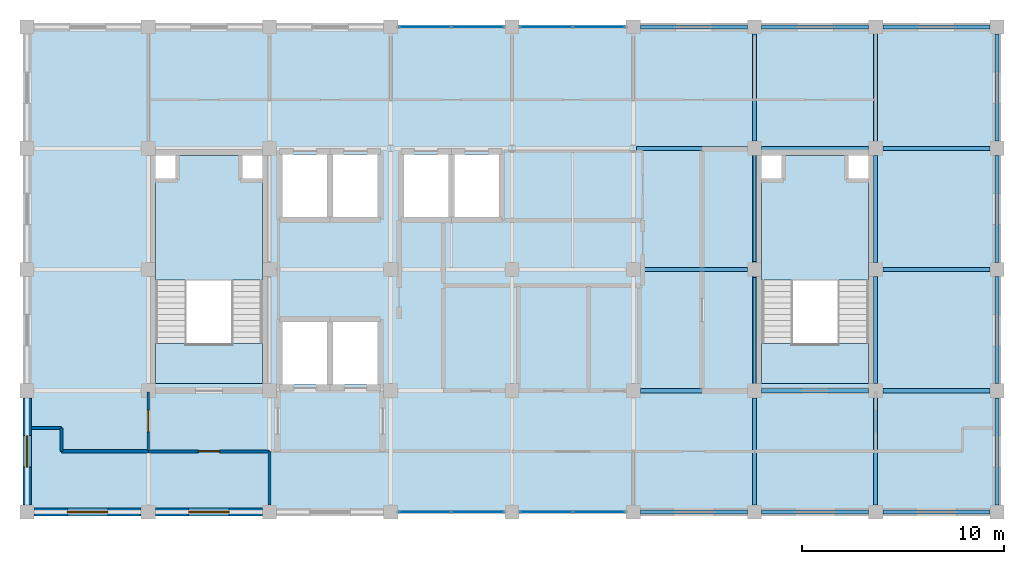
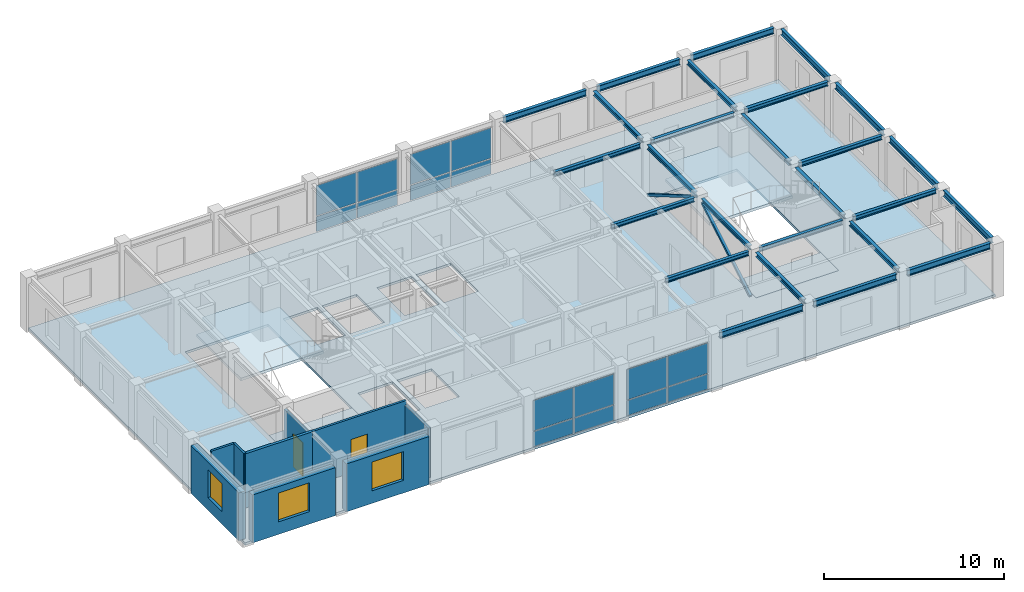
# One storey, part 7 of 11: 26 beams, 16 plates, 9 walls, 5 slabs, 3 windows, 2 doors, 2 members, 5 openings, 6 elements without a shape of their own.
"""IFC4 building model written with IfcOpenShell, lengths in metres."""

from ifc_helpers import new_model, si_unit, direction, frame, frame_2d, origin, origin_2d, place, context, subcontext, project, spatial, polyline, rectangle, hollow_rectangle, i_section, outline, extrude, material, layer, layer_set, material_profile, profile_set, type_object, element, fill, aggregate, save


model = new_model("IFC4")

# Units and contexts
model_context = context("Model", 3, precision=1e-05, world=origin(), true_north=direction((0.0, 1.0)))
body_context = subcontext(model_context, "Body", "Model", "MODEL_VIEW")
ifc_project = project(units=[si_unit("LENGTHUNIT", "METRE"), si_unit("AREAUNIT", "SQUARE_METRE"), si_unit("VOLUMEUNIT", "CUBIC_METRE"), si_unit("PLANEANGLEUNIT", "RADIAN"), si_unit("MASSUNIT", "GRAM", prefix="KILO")], contexts=[model_context])

# Site, building, storey
site_placement = place(None, origin())
site = spatial("IfcSite", under=ifc_project, at=site_placement, CompositionType="ELEMENT")
building_placement = place(site_placement, origin())
building = spatial("IfcBuilding", under=site, at=building_placement, Name="Zlatovratsky Civic Hall", CompositionType="ELEMENT")
storey_placement = place(building_placement, frame((0.0, 0.0, 63.89990234375)))
storey = spatial("IfcBuildingStorey", under=building, at=storey_placement, Name="L16", CompositionType="ELEMENT", Elevation=63.89990234375)

# Beams
ifc_material_1 = material(Name="Steel S355", Category="steel")
ifc_material_profile_1 = material_profile(ifc_material_1, i_section(OverallWidth=0.199951171875, OverallDepth=0.39990234375, WebThickness=0.008056640625, FlangeThickness=0.012939453125, FilletRadius=0.014892578125, at=origin_2d()), Name="40B2")
ifc_profile_set_1 = profile_set([ifc_material_profile_1], Name="Steel S355")
beam_type_1 = type_object("IfcBeamType", Name="Beam_Spandrel_40B2", PredefinedType="SPANDREL", material=ifc_profile_set_1)
for number, where, z_axis, x_axis, name in (
    (1, (90.35009765625, 78.0, 3.460205078125), (1.0, 0.0, 0.0), (0.0, 1.0, 0.0), "BM-5122"),
    (2, (96.35009765625, 78.0, 3.460205078125), (1.0, 0.0, 0.0), (0.0, 1.0, 0.0), "BM-5123"),
    (3, (102.35009765625, 78.0, 3.460205078125), (1.0, 0.0, 0.0), (0.0, 1.0, 0.0), "BM-5124"),
    (4, (90.35009765625, 102.0, 3.460205078125), (1.0, 0.0, 0.0), (0.0, 1.0, 0.0), "BM-5152"),
    (5, (96.35009765625, 102.0, 3.460205078125), (1.0, 0.0, 0.0), (0.0, 1.0, 0.0), "BM-5153"),
    (6, (102.35009765625, 102.0, 3.460205078125), (1.0, 0.0, 0.0), (0.0, 1.0, 0.0), "BM-5154"),
    (7, (108.0, 78.35009765625, 3.460205078125), (0.0, 1.0, 0.0), (-1.0, 0.0, 0.0), "BM-5187"),
    (8, (108.0, 84.35009765625, 3.460205078125), (0.0, 1.0, 0.0), (-1.0, 0.0, 0.0), "BM-5188"),
    (9, (108.0, 90.35009765625, 3.460205078125), (0.0, 1.0, 0.0), (-1.0, 0.0, 0.0), "BM-5189"),
    (10, (108.0, 96.35009765625, 3.460205078125), (0.0, 1.0, 0.0), (-1.0, 0.0, 0.0), "BM-5190"),
):
    element("IfcBeam", number, at=place(storey_placement, frame(where, z_axis=z_axis, x_axis=x_axis)), inside=storey, type_object=beam_type_1, Name=name, PredefinedType="SPANDREL", context=body_context, shape_type="SweptSolid", body=[
        extrude(i_section(OverallWidth=0.199951171875, OverallDepth=0.39990234375, WebThickness=0.008056640625, FlangeThickness=0.012939453125, FilletRadius=0.014892578125, at=origin_2d()), origin(), (0.0, 0.0, 1.0), 5.2998046875),
    ])
ifc_material_profile_2 = material_profile(ifc_material_1, i_section(OverallWidth=0.199951171875, OverallDepth=0.291015625, WebThickness=0.008056640625, FlangeThickness=0.010986328125, FilletRadius=0.01806640625, at=origin_2d()), Name="30Sh1")
ifc_profile_set_2 = profile_set([ifc_material_profile_2], Name="Steel S355")
beam_type_2 = type_object("IfcBeamType", Name="Beam_TowerHigh_30Sh1", PredefinedType="BEAM", material=ifc_profile_set_2)
for number, where, z_axis, x_axis, name in (
    (11, (90.35009765625, 84.0, 3.5146484375), (1.0, 0.0, 0.0), (0.0, 1.0, 0.0), "BM-5130"),
    (12, (96.35009765625, 84.0, 3.5146484375), (1.0, 0.0, 0.0), (0.0, 1.0, 0.0), "BM-5131"),
    (13, (102.35009765625, 84.0, 3.5146484375), (1.0, 0.0, 0.0), (0.0, 1.0, 0.0), "BM-5132"),
    (14, (90.35009765625, 90.0, 3.5146484375), (1.0, 0.0, 0.0), (0.0, 1.0, 0.0), "BM-5137"),
    (15, (102.35009765625, 90.0, 3.5146484375), (1.0, 0.0, 0.0), (0.0, 1.0, 0.0), "BM-5138"),
):
    element("IfcBeam", number, at=place(storey_placement, frame(where, z_axis=z_axis, x_axis=x_axis)), inside=storey, type_object=beam_type_2, Name=name, PredefinedType="BEAM", context=body_context, shape_type="SweptSolid", body=[
        extrude(i_section(OverallWidth=0.199951171875, OverallDepth=0.291015625, WebThickness=0.008056640625, FlangeThickness=0.010986328125, FilletRadius=0.01806640625, at=origin_2d()), origin(), (0.0, 0.0, 1.0), 5.2998046875),
    ])
beam_placement = place(storey_placement, frame((90.1494140625, 96.0, 3.5146484375), z_axis=(1.0, 0.0, 0.0), x_axis=(0.0, 1.0, 0.0)))
element("IfcBeam", 16, at=beam_placement, inside=storey, type_object=beam_type_2, Name="BM-5144", PredefinedType="BEAM", context=body_context, shape_type="SweptSolid", body=[
    extrude(i_section(OverallWidth=0.199951171875, OverallDepth=0.291015625, WebThickness=0.008056640625, FlangeThickness=0.010986328125, FilletRadius=0.01806640625, at=origin_2d()), origin(), (0.0, 0.0, 1.0), 5.50048828125),
])
for number, where, z_axis, x_axis, name in (
    (17, (96.35009765625, 96.0, 3.5146484375), (1.0, 0.0, 0.0), (0.0, 1.0, 0.0), "BM-5145"),
    (18, (102.35009765625, 96.0, 3.5146484375), (1.0, 0.0, 0.0), (0.0, 1.0, 0.0), "BM-5146"),
    (19, (96.0, 78.35009765625, 3.5146484375), (0.0, 1.0, 0.0), (-1.0, 0.0, 0.0), "BM-5179"),
    (20, (96.0, 84.35009765625, 3.5146484375), (0.0, 1.0, 0.0), (-1.0, 0.0, 0.0), "BM-5180"),
    (21, (96.0, 90.35009765625, 3.5146484375), (0.0, 1.0, 0.0), (-1.0, 0.0, 0.0), "BM-5181"),
    (22, (96.0, 96.35009765625, 3.5146484375), (0.0, 1.0, 0.0), (-1.0, 0.0, 0.0), "BM-5182"),
    (23, (102.0, 78.35009765625, 3.5146484375), (0.0, 1.0, 0.0), (-1.0, 0.0, 0.0), "BM-5183"),
    (24, (102.0, 84.35009765625, 3.5146484375), (0.0, 1.0, 0.0), (-1.0, 0.0, 0.0), "BM-5184"),
    (25, (102.0, 90.35009765625, 3.5146484375), (0.0, 1.0, 0.0), (-1.0, 0.0, 0.0), "BM-5185"),
    (26, (102.0, 96.35009765625, 3.5146484375), (0.0, 1.0, 0.0), (-1.0, 0.0, 0.0), "BM-5186"),
):
    element("IfcBeam", number, at=place(storey_placement, frame(where, z_axis=z_axis, x_axis=x_axis)), inside=storey, type_object=beam_type_2, Name=name, PredefinedType="BEAM", context=body_context, shape_type="SweptSolid", body=[
        extrude(i_section(OverallWidth=0.199951171875, OverallDepth=0.291015625, WebThickness=0.008056640625, FlangeThickness=0.010986328125, FilletRadius=0.01806640625, at=origin_2d()), origin(), (0.0, 0.0, 1.0), 5.2998046875),
    ])

# Members
ifc_material_profile_3 = material_profile(ifc_material_1, hollow_rectangle(XDim=0.159912109375, YDim=0.159912109375, WallThickness=0.008056640625, at=origin_2d()), Name="SHS 160x160x8")
ifc_profile_set_3 = profile_set([ifc_material_profile_3], Name="Steel S355")
member_type = type_object("IfcMemberType", Name="Brace_TowerHigh_SHS160", PredefinedType="BRACE", material=ifc_profile_set_3)
for number, where, z_axis, x_axis, name in (
    (27, (96.0, 84.35009765625, 0.25), (0.0, 0.863172562464, 0.504909028845), (-1.0, 0.0, 0.0), "MB-0170"),
    (28, (96.0, 90.35009765625, 3.35009765625), (0.0, 0.863172562464, -0.504909028845), (-1.0, 0.0, 0.0), "MB-0171"),
):
    element("IfcMember", number, at=place(storey_placement, frame(where, z_axis=z_axis, x_axis=x_axis)), inside=storey, type_object=member_type, Name=name, PredefinedType="BRACE", context=body_context, shape_type="SweptSolid", body=[
        extrude(hollow_rectangle(XDim=0.159912109375, YDim=0.159912109375, WallThickness=0.008056640625, at=origin_2d()), origin(), (0.0, 0.0, 1.0), 6.139892578125),
    ])

# Curtain wall, plates
ifc_material_2 = material(Name="Anodised bronze aluminium", Category="aluminium")
ifc_layer_1 = layer(ifc_material_2, 0.159912109375)
ifc_layer_set_1 = layer_set([ifc_layer_1], Name="Anodised bronze aluminium")
curtain_wall_type = type_object("IfcCurtainWallType", Name="CurtainWall_Bronze_5300x3240_24", PredefinedType="NOTDEFINED", material=ifc_layer_set_1)
curtain_wall_1_placement = place(storey_placement, origin())
curtain_wall_1 = element("IfcCurtainWall", 29, at=curtain_wall_1_placement, inside=storey, type_object=curtain_wall_type, Name="CW-173", PredefinedType="NOTDEFINED")
ifc_material_3 = material(Name="Solar-control triple glazing", Category="glass")
ifc_layer_2 = layer(ifc_material_3, 0.028076171875)
ifc_layer_set_2 = layer_set([ifc_layer_2], Name="Solar-control triple glazing")
plate_type = type_object("IfcPlateType", Name="Panel_TowerTripleGlazing_28", PredefinedType="CURTAIN_PANEL", material=ifc_layer_set_2)
plate_1_placement = place(storey_placement, frame((79.68994140625, 78.0, 0.06005859375), z_axis=(0.0, 0.0, 1.0), x_axis=(1.0, 0.0, 0.0)))
plate_1 = element("IfcPlate", 30, at=plate_1_placement, type_object=plate_type, Name="CW-24 panel 1.1", PredefinedType="CURTAIN_PANEL", context=body_context, shape_type="SweptSolid", body=[
    extrude(rectangle(XDim=2.56005859375, YDim=0.028076171875, at=origin_2d()), origin(), (0.0, 0.0, 1.0), 1.010009765625),
])
plate_2_placement = place(storey_placement, frame((79.68994140625, 78.0, 1.1298828125), z_axis=(0.0, 0.0, 1.0), x_axis=(1.0, 0.0, 0.0)))
plate_2 = element("IfcPlate", 31, at=plate_2_placement, type_object=plate_type, Name="CW-24 panel 1.2", PredefinedType="CURTAIN_PANEL", context=body_context, shape_type="SweptSolid", body=[
    extrude(rectangle(XDim=2.56005859375, YDim=0.028076171875, at=origin_2d()), origin(), (0.0, 0.0, 1.0), 2.050048828125),
])
plate_3_placement = place(storey_placement, frame((82.31005859375, 78.0, 0.06005859375), z_axis=(0.0, 0.0, 1.0), x_axis=(1.0, 0.0, 0.0)))
plate_3 = element("IfcPlate", 32, at=plate_3_placement, type_object=plate_type, Name="CW-24 panel 2.1", PredefinedType="CURTAIN_PANEL", context=body_context, shape_type="SweptSolid", body=[
    extrude(rectangle(XDim=2.56005859375, YDim=0.028076171875, at=origin_2d()), origin(), (0.0, 0.0, 1.0), 1.010009765625),
])
plate_4_placement = place(storey_placement, frame((82.31005859375, 78.0, 1.1298828125), z_axis=(0.0, 0.0, 1.0), x_axis=(1.0, 0.0, 0.0)))
plate_4 = element("IfcPlate", 33, at=plate_4_placement, type_object=plate_type, Name="CW-24 panel 2.2", PredefinedType="CURTAIN_PANEL", context=body_context, shape_type="SweptSolid", body=[
    extrude(rectangle(XDim=2.56005859375, YDim=0.028076171875, at=origin_2d()), origin(), (0.0, 0.0, 1.0), 2.050048828125),
])
aggregate(curtain_wall_1, [plate_1, plate_2, plate_3, plate_4])

curtain_wall_2_placement = place(storey_placement, origin())
curtain_wall_2 = element("IfcCurtainWall", 34, at=curtain_wall_2_placement, inside=storey, type_object=curtain_wall_type, Name="CW-174", PredefinedType="NOTDEFINED")
plate_5_placement = place(storey_placement, frame((85.68994140625, 78.0, 0.06005859375), z_axis=(0.0, 0.0, 1.0), x_axis=(1.0, 0.0, 0.0)))
plate_5 = element("IfcPlate", 35, at=plate_5_placement, type_object=plate_type, Name="CW-24 panel 1.1", PredefinedType="CURTAIN_PANEL", context=body_context, shape_type="SweptSolid", body=[
    extrude(rectangle(XDim=2.56005859375, YDim=0.028076171875, at=origin_2d()), origin(), (0.0, 0.0, 1.0), 1.010009765625),
])
plate_6_placement = place(storey_placement, frame((85.68994140625, 78.0, 1.1298828125), z_axis=(0.0, 0.0, 1.0), x_axis=(1.0, 0.0, 0.0)))
plate_6 = element("IfcPlate", 36, at=plate_6_placement, type_object=plate_type, Name="CW-24 panel 1.2", PredefinedType="CURTAIN_PANEL", context=body_context, shape_type="SweptSolid", body=[
    extrude(rectangle(XDim=2.56005859375, YDim=0.028076171875, at=origin_2d()), origin(), (0.0, 0.0, 1.0), 2.050048828125),
])
plate_7_placement = place(storey_placement, frame((88.31005859375, 78.0, 0.06005859375), z_axis=(0.0, 0.0, 1.0), x_axis=(1.0, 0.0, 0.0)))
plate_7 = element("IfcPlate", 37, at=plate_7_placement, type_object=plate_type, Name="CW-24 panel 2.1", PredefinedType="CURTAIN_PANEL", context=body_context, shape_type="SweptSolid", body=[
    extrude(rectangle(XDim=2.56005859375, YDim=0.028076171875, at=origin_2d()), origin(), (0.0, 0.0, 1.0), 1.010009765625),
])
plate_8_placement = place(storey_placement, frame((88.31005859375, 78.0, 1.1298828125), z_axis=(0.0, 0.0, 1.0), x_axis=(1.0, 0.0, 0.0)))
plate_8 = element("IfcPlate", 38, at=plate_8_placement, type_object=plate_type, Name="CW-24 panel 2.2", PredefinedType="CURTAIN_PANEL", context=body_context, shape_type="SweptSolid", body=[
    extrude(rectangle(XDim=2.56005859375, YDim=0.028076171875, at=origin_2d()), origin(), (0.0, 0.0, 1.0), 2.050048828125),
])
aggregate(curtain_wall_2, [plate_5, plate_6, plate_7, plate_8])

curtain_wall_3_placement = place(storey_placement, origin())
curtain_wall_3 = element("IfcCurtainWall", 39, at=curtain_wall_3_placement, inside=storey, type_object=curtain_wall_type, Name="CW-175", PredefinedType="NOTDEFINED")
plate_9_placement = place(storey_placement, frame((79.68994140625, 102.0, 0.06005859375), z_axis=(0.0, 0.0, 1.0), x_axis=(1.0, 0.0, 0.0)))
plate_9 = element("IfcPlate", 40, at=plate_9_placement, type_object=plate_type, Name="CW-24 panel 1.1", PredefinedType="CURTAIN_PANEL", context=body_context, shape_type="SweptSolid", body=[
    extrude(rectangle(XDim=2.56005859375, YDim=0.028076171875, at=origin_2d()), origin(), (0.0, 0.0, 1.0), 1.010009765625),
])
plate_10_placement = place(storey_placement, frame((79.68994140625, 102.0, 1.1298828125), z_axis=(0.0, 0.0, 1.0), x_axis=(1.0, 0.0, 0.0)))
plate_10 = element("IfcPlate", 41, at=plate_10_placement, type_object=plate_type, Name="CW-24 panel 1.2", PredefinedType="CURTAIN_PANEL", context=body_context, shape_type="SweptSolid", body=[
    extrude(rectangle(XDim=2.56005859375, YDim=0.028076171875, at=origin_2d()), origin(), (0.0, 0.0, 1.0), 2.050048828125),
])
plate_11_placement = place(storey_placement, frame((82.31005859375, 102.0, 0.06005859375), z_axis=(0.0, 0.0, 1.0), x_axis=(1.0, 0.0, 0.0)))
plate_11 = element("IfcPlate", 42, at=plate_11_placement, type_object=plate_type, Name="CW-24 panel 2.1", PredefinedType="CURTAIN_PANEL", context=body_context, shape_type="SweptSolid", body=[
    extrude(rectangle(XDim=2.56005859375, YDim=0.028076171875, at=origin_2d()), origin(), (0.0, 0.0, 1.0), 1.010009765625),
])
plate_12_placement = place(storey_placement, frame((82.31005859375, 102.0, 1.1298828125), z_axis=(0.0, 0.0, 1.0), x_axis=(1.0, 0.0, 0.0)))
plate_12 = element("IfcPlate", 43, at=plate_12_placement, type_object=plate_type, Name="CW-24 panel 2.2", PredefinedType="CURTAIN_PANEL", context=body_context, shape_type="SweptSolid", body=[
    extrude(rectangle(XDim=2.56005859375, YDim=0.028076171875, at=origin_2d()), origin(), (0.0, 0.0, 1.0), 2.050048828125),
])
aggregate(curtain_wall_3, [plate_9, plate_10, plate_11, plate_12])

curtain_wall_4_placement = place(storey_placement, origin())
curtain_wall_4 = element("IfcCurtainWall", 44, at=curtain_wall_4_placement, inside=storey, type_object=curtain_wall_type, Name="CW-176", PredefinedType="NOTDEFINED")
plate_13_placement = place(storey_placement, frame((85.68994140625, 102.0, 0.06005859375), z_axis=(0.0, 0.0, 1.0), x_axis=(1.0, 0.0, 0.0)))
plate_13 = element("IfcPlate", 45, at=plate_13_placement, type_object=plate_type, Name="CW-24 panel 1.1", PredefinedType="CURTAIN_PANEL", context=body_context, shape_type="SweptSolid", body=[
    extrude(rectangle(XDim=2.56005859375, YDim=0.028076171875, at=origin_2d()), origin(), (0.0, 0.0, 1.0), 1.010009765625),
])
plate_14_placement = place(storey_placement, frame((85.68994140625, 102.0, 1.1298828125), z_axis=(0.0, 0.0, 1.0), x_axis=(1.0, 0.0, 0.0)))
plate_14 = element("IfcPlate", 46, at=plate_14_placement, type_object=plate_type, Name="CW-24 panel 1.2", PredefinedType="CURTAIN_PANEL", context=body_context, shape_type="SweptSolid", body=[
    extrude(rectangle(XDim=2.56005859375, YDim=0.028076171875, at=origin_2d()), origin(), (0.0, 0.0, 1.0), 2.050048828125),
])
plate_15_placement = place(storey_placement, frame((88.31005859375, 102.0, 0.06005859375), z_axis=(0.0, 0.0, 1.0), x_axis=(1.0, 0.0, 0.0)))
plate_15 = element("IfcPlate", 47, at=plate_15_placement, type_object=plate_type, Name="CW-24 panel 2.1", PredefinedType="CURTAIN_PANEL", context=body_context, shape_type="SweptSolid", body=[
    extrude(rectangle(XDim=2.56005859375, YDim=0.028076171875, at=origin_2d()), origin(), (0.0, 0.0, 1.0), 1.010009765625),
])
plate_16_placement = place(storey_placement, frame((88.31005859375, 102.0, 1.1298828125), z_axis=(0.0, 0.0, 1.0), x_axis=(1.0, 0.0, 0.0)))
plate_16 = element("IfcPlate", 48, at=plate_16_placement, type_object=plate_type, Name="CW-24 panel 2.2", PredefinedType="CURTAIN_PANEL", context=body_context, shape_type="SweptSolid", body=[
    extrude(rectangle(XDim=2.56005859375, YDim=0.028076171875, at=origin_2d()), origin(), (0.0, 0.0, 1.0), 2.050048828125),
])
aggregate(curtain_wall_4, [plate_13, plate_14, plate_15, plate_16])

# Slabs
ifc_material_4 = material(Name="Concrete C30/37 (B35)", Category="concrete")
ifc_layer_3 = layer(ifc_material_4, 0.239990234375)
ifc_layer_set_3 = layer_set([ifc_layer_3], Name="Concrete C30/37 (B35)")
slab_type_1 = type_object("IfcSlabType", Name="Slab_CivicPodiumFloor_240", PredefinedType="FLOOR", material=ifc_layer_set_3)
slab_1_placement = place(storey_placement, frame((0.0, 0.0, -0.239990234375)))
element("IfcSlab", 49, at=slab_1_placement, inside=storey, type_object=slab_type_1, Name="SL-084", PredefinedType="FLOOR", context=body_context, shape_type="SweptSolid", body=[
    extrude(outline(polyline([(66.35009765625, 84.35009765625), (71.64990234375, 84.35009765625), (71.64990234375, 86.35009765625), (66.35009765625, 86.35009765625), (66.35009765625, 84.35009765625)])), origin(), (0.0, 0.0, 1.0), 0.239990234375),
])
slab_2_placement = place(storey_placement, frame((0.0, 0.0, -0.239990234375)))
element("IfcSlab", 50, at=slab_2_placement, inside=storey, type_object=slab_type_1, Name="SL-085", PredefinedType="FLOOR", context=body_context, shape_type="SweptSolid", body=[
    extrude(outline(polyline([(96.35009765625, 84.35009765625), (101.64990234375, 84.35009765625), (101.64990234375, 86.35009765625), (96.35009765625, 86.35009765625), (96.35009765625, 84.35009765625)])), origin(), (0.0, 0.0, 1.0), 0.239990234375),
])

# Stair, slab
stair_type = type_object("IfcStairType", Name="Stair_HALF_24R_1550W_04", PredefinedType="HALF_TURN_STAIR", material=ifc_material_4)
stair_1_placement = place(storey_placement, origin())
stair_1 = element("IfcStair", 51, at=stair_1_placement, inside=storey, type_object=stair_type, Name="ST-017", PredefinedType="HALF_TURN_STAIR")
ifc_layer_4 = layer(ifc_material_4, 0.179931640625)
ifc_layer_set_4 = layer_set([ifc_layer_4], Name="Concrete C30/37 (B35)")
slab_type_2 = type_object("IfcSlabType", Name="Slab_StairLanding_180", PredefinedType="LANDING", material=ifc_layer_set_4)
slab_3_placement = place(storey_placement, frame((0.0, 0.0, 1.77001953125)))
slab_3 = element("IfcSlab", 52, at=slab_3_placement, type_object=slab_type_2, Name="SL-LD-17", PredefinedType="LANDING", context=body_context, shape_type="SweptSolid", body=[
    extrude(outline(polyline([(66.35009765625, 89.485107421875), (71.64990234375, 89.485107421875), (71.64990234375, 94.39990234375), (70.550048828125, 94.39990234375), (70.550048828125, 95.64990234375), (67.449951171875, 95.64990234375), (67.449951171875, 94.39990234375), (66.35009765625, 94.39990234375), (66.35009765625, 89.485107421875)])), origin(), (0.0, 0.0, 1.0), 0.18017578125),
])
aggregate(stair_1, [slab_3])

stair_2_placement = place(storey_placement, origin())
stair_2 = element("IfcStair", 53, at=stair_2_placement, inside=storey, type_object=stair_type, Name="ST-036", PredefinedType="HALF_TURN_STAIR")
slab_4_placement = place(storey_placement, frame((0.0, 0.0, 1.77001953125)))
slab_4 = element("IfcSlab", 54, at=slab_4_placement, type_object=slab_type_2, Name="SL-LD-36", PredefinedType="LANDING", context=body_context, shape_type="SweptSolid", body=[
    extrude(outline(polyline([(96.35009765625, 89.485107421875), (101.64990234375, 89.485107421875), (101.64990234375, 94.39990234375), (100.550048828125, 94.39990234375), (100.550048828125, 95.64990234375), (97.449951171875, 95.64990234375), (97.449951171875, 94.39990234375), (96.35009765625, 94.39990234375), (96.35009765625, 89.485107421875)])), origin(), (0.0, 0.0, 1.0), 0.18017578125),
])
aggregate(stair_2, [slab_4])

# Slab
ifc_layer_5 = layer(ifc_material_4, 0.159912109375)
ifc_layer_set_5 = layer_set([ifc_layer_5], Name="Concrete C30/37 (B35)")
slab_type_3 = type_object("IfcSlabType", Name="Slab_TowerCompositeFloor_160", PredefinedType="FLOOR", material=ifc_layer_set_5)
slab_5_placement = place(storey_placement, frame((0.0, 0.0, -0.159912109375)))
element("IfcSlab", 55, at=slab_5_placement, inside=storey, type_object=slab_type_3, Name="SL-083", PredefinedType="FLOOR", context=body_context, shape_type="SweptSolid", body=[
    extrude(outline(polyline([(60.0, 78.0), (108.0, 78.0), (108.0, 102.0), (60.0, 102.0), (60.0, 78.0)]), holes=[polyline([(66.35009765625, 84.35009765625), (71.64990234375, 84.35009765625), (71.64990234375, 95.64990234375), (66.35009765625, 95.64990234375), (66.35009765625, 84.35009765625)]), polyline([(96.35009765625, 84.35009765625), (101.64990234375, 84.35009765625), (101.64990234375, 95.64990234375), (96.35009765625, 95.64990234375), (96.35009765625, 84.35009765625)]), polyline([(72.64990234375, 84.300048828125), (74.85009765625, 84.300048828125), (74.85009765625, 87.39990234375), (72.64990234375, 87.39990234375), (72.64990234375, 84.300048828125)]), polyline([(75.14990234375, 84.300048828125), (77.35009765625, 84.300048828125), (77.35009765625, 87.39990234375), (75.14990234375, 87.39990234375), (75.14990234375, 84.300048828125)]), polyline([(72.64990234375, 92.60009765625), (74.85009765625, 92.60009765625), (74.85009765625, 95.699951171875), (72.64990234375, 95.699951171875), (72.64990234375, 92.60009765625)]), polyline([(75.14990234375, 92.60009765625), (77.35009765625, 92.60009765625), (77.35009765625, 95.699951171875), (75.14990234375, 95.699951171875), (75.14990234375, 92.60009765625)]), polyline([(78.64990234375, 92.60009765625), (80.85009765625, 92.60009765625), (80.85009765625, 95.699951171875), (78.64990234375, 95.699951171875), (78.64990234375, 92.60009765625)]), polyline([(81.14990234375, 92.60009765625), (83.35009765625, 92.60009765625), (83.35009765625, 95.699951171875), (81.14990234375, 95.699951171875), (81.14990234375, 92.60009765625)])]), origin(), (0.0, 0.0, 1.0), 0.159912109375),
])

# Wall
ifc_material_5 = material(Name="Acoustic ceramic blockwork", Category="masonry")
ifc_layer_6 = layer(ifc_material_5, 0.179931640625)
ifc_layer_set_6 = layer_set([ifc_layer_6], Name="Acoustic ceramic blockwork")
wall_type_1 = type_object("IfcWallType", Name="Wall_AcousticChamberPartition_180", PredefinedType="PARTITIONING", material=ifc_layer_set_6)
wall_1_placement = place(storey_placement, frame((61.699951171875, 81.0, 0.0), z_axis=(0.0, 0.0, 1.0), x_axis=(1.0, 0.0, 0.0)))
element("IfcWall", 56, at=wall_1_placement, inside=storey, type_object=wall_type_1, Name="WL-6771", PredefinedType="PARTITIONING", context=body_context, shape_type="SweptSolid", body=[
    extrude(rectangle(XDim=4.300048828125, YDim=0.179931640625, at=frame_2d((2.14990234375, 0.0))), origin(), (0.0, 0.0, 1.0), 3.66015625),
])

# Wall, opening, door
ifc_material_6 = material(Name="Fire-rated gypsum board framing", Category="gypsum")
ifc_layer_7 = layer(ifc_material_6, 0.139892578125)
ifc_layer_set_7 = layer_set([ifc_layer_7], Name="Fire-rated gypsum board framing")
wall_type_2 = type_object("IfcWallType", Name="Wall_OfficePartition_140", PredefinedType="PARTITIONING", material=ifc_layer_set_7)
wall_2_placement = place(storey_placement, frame((66.0, 81.050048828125, 0.0), z_axis=(0.0, 0.0, 1.0), x_axis=(0.0, 1.0, 0.0)))
wall_2 = element("IfcWall", 57, at=wall_2_placement, inside=storey, type_object=wall_type_2, Name="WL-6745", PredefinedType="PARTITIONING", context=body_context, shape_type="SweptSolid", body=[
    extrude(rectangle(XDim=2.89990234375, YDim=0.139892578125, at=frame_2d((1.449951171875, 0.0))), origin(), (0.0, 0.0, 1.0), 3.369140625),
])
opening_1_placement = place(wall_2_placement, frame((0.925048828125, 0.0, 0.0)))
opening_1 = element("IfcOpeningElement", 58, at=opening_1_placement, cuts=wall_2, Name="Opening D-24", PredefinedType="OPENING", context=body_context, shape_type="SweptSolid", body=[
    extrude(rectangle(XDim=1.050048828125, YDim=2.25, at=frame_2d((0.52490234375, 1.125))), frame((0.0, 0.0849609375, 0.0), z_axis=(0.0, -1.0, 0.0), x_axis=(1.0, 0.0, 0.0)), (0.0, 0.0, 1.0), 0.169677734375),
])
ifc_material_7 = material(Name="Solid oak joinery in steel frame", Category="steel")
door_type = type_object("IfcDoorType", Name="Door_DirectorateOffice_1050x2250", OperationType="NOTDEFINED", PredefinedType="DOOR", material=ifc_material_7)
door_1_placement = place(opening_1_placement, origin())
door_1 = element("IfcDoor", 59, at=door_1_placement, inside=storey, type_object=door_type, Name="DR-5542", OperationType="SINGLE_SWING_RIGHT", OverallHeight=2.25, OverallWidth=1.050048828125, PredefinedType="DOOR", context=body_context, shape_type="SweptSolid", body=[
    extrude(rectangle(XDim=1.050048828125, YDim=2.25, at=frame_2d((0.52490234375, 1.125))), frame((0.0, 0.02490234375, 0.0), z_axis=(0.0, -1.0, 0.0), x_axis=(1.0, 0.0, 0.0)), (0.0, 0.0, 1.0), 0.050048828125),
])
fill(opening_1, door_1)

wall_3_placement = place(storey_placement, frame((66.0, 81.0, 0.0), z_axis=(0.0, 0.0, 1.0), x_axis=(1.0, 0.0, 0.0)))
wall_3 = element("IfcWall", 60, at=wall_3_placement, inside=storey, type_object=wall_type_2, Name="WL-6747", PredefinedType="PARTITIONING", context=body_context, shape_type="SweptSolid", body=[
    extrude(rectangle(XDim=6.0, YDim=0.139892578125, at=frame_2d((3.0, 0.0))), origin(), (0.0, 0.0, 1.0), 3.66015625),
])
opening_2_placement = place(wall_3_placement, frame((2.47509765625, 0.0, 0.0)))
opening_2 = element("IfcOpeningElement", 61, at=opening_2_placement, cuts=wall_3, Name="Opening D-24", PredefinedType="OPENING", context=body_context, shape_type="SweptSolid", body=[
    extrude(rectangle(XDim=1.050048828125, YDim=2.25, at=frame_2d((0.52490234375, 1.125))), frame((0.0, 0.0849609375, 0.0), z_axis=(0.0, -1.0, 0.0), x_axis=(1.0, 0.0, 0.0)), (0.0, 0.0, 1.0), 0.169677734375),
])
door_2_placement = place(opening_2_placement, origin())
door_2 = element("IfcDoor", 62, at=door_2_placement, inside=storey, type_object=door_type, Name="DR-5544", OperationType="SINGLE_SWING_RIGHT", OverallHeight=2.25, OverallWidth=1.050048828125, PredefinedType="DOOR", context=body_context, shape_type="SweptSolid", body=[
    extrude(rectangle(XDim=1.050048828125, YDim=2.25, at=frame_2d((0.52490234375, 1.125))), frame((0.0, 0.02490234375, 0.0), z_axis=(0.0, -1.0, 0.0), x_axis=(1.0, 0.0, 0.0)), (0.0, 0.0, 1.0), 0.050048828125),
])
fill(opening_2, door_2)

# Walls
wall_4_placement = place(storey_placement, frame((72.0, 78.35009765625, 0.0), z_axis=(0.0, 0.0, 1.0), x_axis=(0.0, 1.0, 0.0)))
element("IfcWall", 63, at=wall_4_placement, inside=storey, type_object=wall_type_2, Name="WL-6758", PredefinedType="PARTITIONING", context=body_context, shape_type="SweptSolid", body=[
    extrude(rectangle(XDim=2.64990234375, YDim=0.139892578125, at=frame_2d((1.324951171875, 0.0))), origin(), (0.0, 0.0, 1.0), 3.369140625),
])
wall_5_placement = place(storey_placement, frame((61.699951171875, 81.0, 0.0), z_axis=(0.0, 0.0, 1.0), x_axis=(0.0, 1.0, 0.0)))
element("IfcWall", 64, at=wall_5_placement, inside=storey, type_object=wall_type_2, Name="WL-6774", PredefinedType="PARTITIONING", context=body_context, shape_type="SweptSolid", body=[
    extrude(rectangle(XDim=1.14990234375, YDim=0.139892578125, at=frame_2d((0.574951171875, 0.0))), origin(), (0.0, 0.0, 1.0), 3.66015625),
])
wall_6_placement = place(storey_placement, frame((61.699951171875, 82.14990234375, 0.0), z_axis=(0.0, 0.0, 1.0), x_axis=(-1.0, 0.0, 0.0)))
element("IfcWall", 65, at=wall_6_placement, inside=storey, type_object=wall_type_2, Name="WL-6775", PredefinedType="PARTITIONING", context=body_context, shape_type="SweptSolid", body=[
    extrude(rectangle(XDim=1.489990234375, YDim=0.139892578125, at=frame_2d((0.7451171875, 0.0))), origin(), (0.0, 0.0, 1.0), 3.66015625),
])

# Wall, opening, window
ifc_layer_8 = layer(ifc_material_5, 0.280029296875, Name="Backing")
ifc_material_8 = material(Name="Podolsk limestone ashlar", Category="masonry")
ifc_layer_9 = layer(ifc_material_8, 0.139892578125, Name="Finish")
ifc_layer_set_8 = layer_set([ifc_layer_8, ifc_layer_9], Name="Acoustic ceramic blockwork")
wall_type_3 = type_object("IfcWallType", Name="Wall_TowerLimestoneAshlar_420", PredefinedType="SOLIDWALL", material=ifc_layer_set_8)
wall_7_placement = place(storey_placement, frame((60.35009765625, 78.0, 0.0), z_axis=(0.0, 0.0, 1.0), x_axis=(1.0, 0.0, 0.0)))
wall_7 = element("IfcWall", 66, at=wall_7_placement, inside=storey, type_object=wall_type_3, Name="WL-0649", PredefinedType="SOLIDWALL", context=body_context, shape_type="SweptSolid", body=[
    extrude(rectangle(XDim=5.2998046875, YDim=0.419921875, at=frame_2d((2.64990234375, 0.0))), origin(), (0.0, 0.0, 1.0), 3.239990234375),
])
opening_3_placement = place(wall_7_placement, frame((1.64990234375, 0.0, 0.85009765625)))
opening_3 = element("IfcOpeningElement", 67, at=opening_3_placement, cuts=wall_7, Name="Opening WN-20", PredefinedType="OPENING", context=body_context, shape_type="SweptSolid", body=[
    extrude(rectangle(XDim=2.0, YDim=1.949951171875, at=frame_2d((1.0, 0.97509765625))), frame((0.0, 0.224853515625, 0.0), z_axis=(0.0, -1.0, 0.0), x_axis=(1.0, 0.0, 0.0)), (0.0, 0.0, 1.0), 0.44970703125),
])
ifc_material_9 = material(Name="Low-E laminated double glazing", Category="glass")
window_type_1 = type_object("IfcWindowType", Name="Window_TowerTier3South_2000x1950", PartitioningType="SINGLE_PANEL", PredefinedType="WINDOW", material=ifc_material_9)
window_1_placement = place(opening_3_placement, origin())
window_1 = element("IfcWindow", 68, at=window_1_placement, inside=storey, type_object=window_type_1, Name="WN-0521", OverallHeight=1.949951171875, OverallWidth=2.0, PartitioningType="SINGLE_PANEL", PredefinedType="WINDOW", context=body_context, shape_type="SweptSolid", body=[
    extrude(rectangle(XDim=2.0, YDim=1.949951171875, at=frame_2d((1.0, 0.97509765625))), frame((0.0, 0.030029296875, 0.0), z_axis=(0.0, -1.0, 0.0), x_axis=(1.0, 0.0, 0.0)), (0.0, 0.0, 1.0), 0.06005859375),
])
fill(opening_3, window_1)

wall_8_placement = place(storey_placement, frame((66.35009765625, 78.0, 0.0), z_axis=(0.0, 0.0, 1.0), x_axis=(1.0, 0.0, 0.0)))
wall_8 = element("IfcWall", 69, at=wall_8_placement, inside=storey, type_object=wall_type_3, Name="WL-0650", PredefinedType="SOLIDWALL", context=body_context, shape_type="SweptSolid", body=[
    extrude(rectangle(XDim=5.2998046875, YDim=0.419921875, at=frame_2d((2.64990234375, 0.0))), origin(), (0.0, 0.0, 1.0), 3.239990234375),
])
opening_4_placement = place(wall_8_placement, frame((1.64990234375, 0.0, 0.85009765625)))
opening_4 = element("IfcOpeningElement", 70, at=opening_4_placement, cuts=wall_8, Name="Opening WN-20", PredefinedType="OPENING", context=body_context, shape_type="SweptSolid", body=[
    extrude(rectangle(XDim=2.0, YDim=1.949951171875, at=frame_2d((1.0, 0.97509765625))), frame((0.0, 0.224853515625, 0.0), z_axis=(0.0, -1.0, 0.0), x_axis=(1.0, 0.0, 0.0)), (0.0, 0.0, 1.0), 0.44970703125),
])
window_2_placement = place(opening_4_placement, origin())
window_2 = element("IfcWindow", 71, at=window_2_placement, inside=storey, type_object=window_type_1, Name="WN-0522", OverallHeight=1.949951171875, OverallWidth=2.0, PartitioningType="SINGLE_PANEL", PredefinedType="WINDOW", context=body_context, shape_type="SweptSolid", body=[
    extrude(rectangle(XDim=2.0, YDim=1.949951171875, at=frame_2d((1.0, 0.97509765625))), frame((0.0, 0.030029296875, 0.0), z_axis=(0.0, -1.0, 0.0), x_axis=(1.0, 0.0, 0.0)), (0.0, 0.0, 1.0), 0.06005859375),
])
fill(opening_4, window_2)

wall_9_placement = place(storey_placement, frame((60.0, 78.35009765625, 0.0), z_axis=(0.0, 0.0, 1.0), x_axis=(0.0, 1.0, 0.0)))
wall_9 = element("IfcWall", 72, at=wall_9_placement, inside=storey, type_object=wall_type_3, Name="WL-0661", PredefinedType="SOLIDWALL", context=body_context, shape_type="SweptSolid", body=[
    extrude(rectangle(XDim=5.2998046875, YDim=0.419921875, at=frame_2d((2.64990234375, 0.0))), origin(), (0.0, 0.0, 1.0), 3.239990234375),
])
opening_5_placement = place(wall_9_placement, frame((1.875, 0.0, 0.85009765625)))
opening_5 = element("IfcOpeningElement", 73, at=opening_5_placement, cuts=wall_9, Name="Opening WN-22", PredefinedType="OPENING", context=body_context, shape_type="SweptSolid", body=[
    extrude(rectangle(XDim=1.550048828125, YDim=1.89990234375, at=frame_2d((0.77490234375, 0.949951171875))), frame((0.0, 0.224853515625, 0.0), z_axis=(0.0, -1.0, 0.0), x_axis=(1.0, 0.0, 0.0)), (0.0, 0.0, 1.0), 0.44970703125),
])
window_type_2 = type_object("IfcWindowType", Name="Window_TowerTier3Flank_1550x1900", PartitioningType="SINGLE_PANEL", PredefinedType="WINDOW", material=ifc_material_9)
window_3_placement = place(opening_5_placement, origin())
window_3 = element("IfcWindow", 74, at=window_3_placement, inside=storey, type_object=window_type_2, Name="WN-0533", OverallHeight=1.89990234375, OverallWidth=1.550048828125, PartitioningType="SINGLE_PANEL", PredefinedType="WINDOW", context=body_context, shape_type="SweptSolid", body=[
    extrude(rectangle(XDim=1.550048828125, YDim=1.89990234375, at=frame_2d((0.77490234375, 0.949951171875))), frame((0.0, 0.030029296875, 0.0), z_axis=(0.0, -1.0, 0.0), x_axis=(1.0, 0.0, 0.0)), (0.0, 0.0, 1.0), 0.06005859375),
])
fill(opening_5, window_3)

save(model, "model.ifc")
